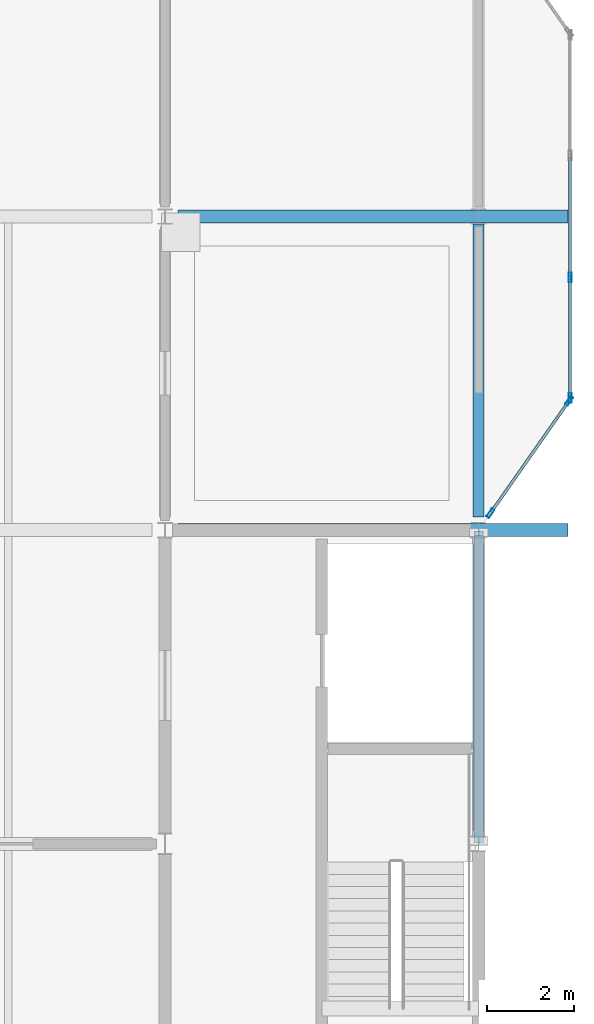
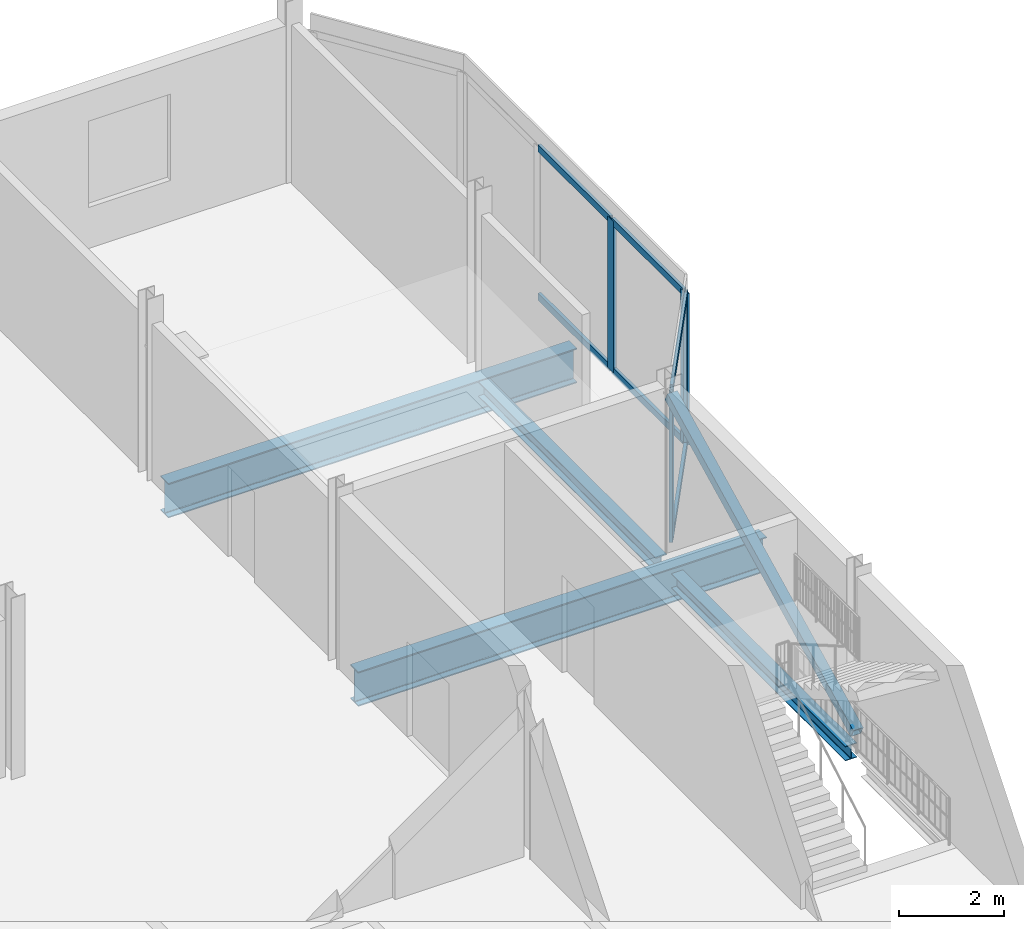
# One storey, part 14 of 26: 11 members, 4 beams, 2 elements without a shape of their own.
"""IFC4 building model written with IfcOpenShell, lengths in metres."""

from ifc_helpers import new_model, si_unit, direction, frame, origin, origin_2d, place, context, subcontext, project, spatial, hollow_rectangle, i_section, extrude, material, material_profile, profile_set, type_object, element, aggregate, save


model = new_model("IFC4")

# Units and contexts
model_context = context("Model", 3, precision=1e-05, world=origin(), true_north=direction((0.0, 1.0)))
body_context = subcontext(model_context, "Body", "Model", "MODEL_VIEW")
ifc_project = project(units=[si_unit("LENGTHUNIT", "METRE"), si_unit("AREAUNIT", "SQUARE_METRE"), si_unit("VOLUMEUNIT", "CUBIC_METRE"), si_unit("PLANEANGLEUNIT", "RADIAN"), si_unit("MASSUNIT", "GRAM", prefix="KILO")], contexts=[model_context])

# Site, building, storey
site_placement = place(None, origin())
site = spatial("IfcSite", under=ifc_project, at=site_placement, CompositionType="ELEMENT")
building_placement = place(site_placement, origin())
building = spatial("IfcBuilding", under=site, at=building_placement, Name="Vesperath Aquatics Centre", CompositionType="ELEMENT")
storey_placement = place(building_placement, frame((0.0, 0.0, 19.199951171875)))
storey = spatial("IfcBuildingStorey", under=building, at=storey_placement, Name="L04", CompositionType="ELEMENT", Elevation=19.199951171875)

# Beams
ifc_material_1 = material(Name="Steel Q355D", Category="steel")
ifc_material_profile_1 = material_profile(ifc_material_1, i_section(OverallWidth=0.300048828125, OverallDepth=0.800048828125, WebThickness=0.013916015625, FlangeThickness=0.02587890625, FilletRadius=0.028076171875, at=origin_2d()), Name="HN 800x300x14x26")
ifc_profile_set_1 = profile_set([ifc_material_profile_1], Name="Steel Q355D")
beam_type_1 = type_object("IfcBeamType", Name="BM-G07", PredefinedType="BEAM", material=ifc_profile_set_1)
for number, where, z_axis, x_axis, name in (
    (1, (165.89990234375, 21.60009765625, -0.639892578125), (1.0, 0.0, 0.0), (0.0, 1.0, 0.0), "Floor Girder B07 L04 D 24-25"),
    (2, (165.89990234375, 28.800048828125, -0.639892578125), (1.0, 0.0, 0.0), (0.0, 1.0, 0.0), "Floor Girder B07 L04 E 24-25"),
):
    element("IfcBeam", number, at=place(storey_placement, frame(where, z_axis=z_axis, x_axis=x_axis)), inside=storey, type_object=beam_type_1, Name=name, PredefinedType="BEAM", context=body_context, shape_type="SweptSolid", body=[
        extrude(i_section(OverallWidth=0.300048828125, OverallDepth=0.800048828125, WebThickness=0.013916015625, FlangeThickness=0.02587890625, FilletRadius=0.028076171875, at=origin_2d()), origin(), (0.0, 0.0, 1.0), 8.9501953125),
    ])
ifc_material_2 = material(Name="Steel Q355C", Category="steel")
ifc_material_profile_2 = material_profile(ifc_material_2, i_section(OverallWidth=0.25, OverallDepth=0.340087890625, WebThickness=0.009033203125, FlangeThickness=0.013916015625, FilletRadius=0.02001953125, at=origin_2d()), Name="HM 340x250x9x14")
ifc_profile_set_2 = profile_set([ifc_material_profile_2], Name="Steel Q355C")
beam_type_2 = type_object("IfcBeamType", Name="BM-G12", PredefinedType="BEAM", material=ifc_profile_set_2)
beam_1_placement = place(storey_placement, frame((172.800048828125, 14.699951171875, -0.409912109375), z_axis=(0.0, 1.0, 0.0), x_axis=(-1.0, 0.0, 0.0)))
element("IfcBeam", 3, at=beam_1_placement, inside=storey, type_object=beam_type_2, Name="Floor Girder B12 L04 25 C-D", PredefinedType="BEAM", context=body_context, shape_type="SweptSolid", body=[
    extrude(i_section(OverallWidth=0.25, OverallDepth=0.340087890625, WebThickness=0.009033203125, FlangeThickness=0.013916015625, FilletRadius=0.02001953125, at=origin_2d()), origin(), (0.0, 0.0, 1.0), 6.60009765625),
])
beam_2_placement = place(storey_placement, frame((172.800048828125, 21.89990234375, -0.409912109375), z_axis=(0.0, 1.0, 0.0), x_axis=(-1.0, 0.0, 0.0)))
element("IfcBeam", 4, at=beam_2_placement, inside=storey, type_object=beam_type_2, Name="Floor Girder B12 L04 25 D-E", PredefinedType="BEAM", context=body_context, shape_type="SweptSolid", body=[
    extrude(i_section(OverallWidth=0.25, OverallDepth=0.340087890625, WebThickness=0.009033203125, FlangeThickness=0.013916015625, FilletRadius=0.02001953125, at=origin_2d()), origin(), (0.0, 0.0, 1.0), 6.72509765625),
])

# Member
ifc_material_profile_3 = material_profile(ifc_material_1, hollow_rectangle(XDim=0.219970703125, YDim=0.219970703125, WallThickness=0.010009765625, at=origin_2d()), Name="SHS 220x220x10")
ifc_profile_set_3 = profile_set([ifc_material_profile_3], Name="Steel Q355D")
member_type_1 = type_object("IfcMemberType", Name="MB-BR02", PredefinedType="BRACE", material=ifc_profile_set_3)
member_1_placement = place(storey_placement, frame((172.800048828125, 14.471435546875, 0.185791015625), z_axis=(0.0, 0.894427191, 0.4472135955), x_axis=(-1.0, 0.0, 0.0)))
element("IfcMember", 5, at=member_1_placement, inside=storey, type_object=member_type_1, Name="Lateral Braced Frame Strut C6_E L04", PredefinedType="BRACE", context=body_context, shape_type="SweptSolid", body=[
    extrude(hollow_rectangle(XDim=0.219970703125, YDim=0.219970703125, WallThickness=0.010009765625, at=origin_2d()), origin(), (0.0, 0.0, 1.0), 7.89013671875),
])

# Curtain wall, members
ifc_material_3 = material(Name="Thermally broken anodised bronze aluminium curtain wall", Category="aluminium")
curtain_wall_type = type_object("IfcCurtainWallType", Name="CW-07", PredefinedType="NOTDEFINED", material=ifc_material_3)
curtain_wall_1_placement = place(storey_placement, origin())
curtain_wall_1 = element("IfcCurtainWall", 6, at=curtain_wall_1_placement, inside=storey, type_object=curtain_wall_type, Name="East Avenue Bow Oriel Curtain Wall L04-S", PredefinedType="NOTDEFINED")
ifc_material_4 = material(Name="Thermally broken anodised aluminium", Category="aluminium")
ifc_material_profile_4 = material_profile(ifc_material_4, hollow_rectangle(XDim=0.070068359375, YDim=0.219970703125, WallThickness=0.0048828125, at=origin_2d()), Name="CWM 70x220x5")
ifc_profile_set_4 = profile_set([ifc_material_profile_4], Name="Thermally broken anodised aluminium")
member_type_2 = type_object("IfcMemberType", Name="MB-CWM2", PredefinedType="MULLION", material=ifc_profile_set_4)
member_2_placement = place(storey_placement, frame((173.072021484375, 21.98876953125, 0.0), z_axis=(0.0, 0.0, 1.0), x_axis=(-0.819231920515, 0.57346234437, 0.0)))
member_2 = element("IfcMember", 7, at=member_2_placement, type_object=member_type_2, Name="CW07 mullion 1", PredefinedType="MULLION", context=body_context, shape_type="SweptSolid", body=[
    extrude(hollow_rectangle(XDim=0.070068359375, YDim=0.219970703125, WallThickness=0.0048828125, at=origin_2d()), origin(), (0.0, 0.0, 1.0), 3.510009765625),
])
member_3_placement = place(storey_placement, frame((174.8798828125, 24.5712890625, 0.0), z_axis=(0.0, 0.0, 1.0), x_axis=(-0.819231920515, 0.57346234437, 0.0)))
member_3 = element("IfcMember", 8, at=member_3_placement, type_object=member_type_2, Name="CW07 mullion 2", PredefinedType="MULLION", context=body_context, shape_type="SweptSolid", body=[
    extrude(hollow_rectangle(XDim=0.070068359375, YDim=0.219970703125, WallThickness=0.0048828125, at=origin_2d()), origin(), (0.0, 0.0, 1.0), 3.510009765625),
])

curtain_wall_2_placement = place(storey_placement, origin())
curtain_wall_2 = element("IfcCurtainWall", 9, at=curtain_wall_2_placement, inside=storey, type_object=curtain_wall_type, Name="East Avenue Bow Oriel Curtain Wall L04-C", PredefinedType="NOTDEFINED")
member_4_placement = place(storey_placement, frame((174.89990234375, 24.635009765625, 0.0), z_axis=(0.0, 0.0, 1.0), x_axis=(-1.0, 0.0, 0.0)))
member_4 = element("IfcMember", 10, at=member_4_placement, type_object=member_type_2, Name="CW07 mullion 1", PredefinedType="MULLION", context=body_context, shape_type="SweptSolid", body=[
    extrude(hollow_rectangle(XDim=0.070068359375, YDim=0.219970703125, WallThickness=0.0048828125, at=origin_2d()), origin(), (0.0, 0.0, 1.0), 3.510009765625),
])
member_5_placement = place(storey_placement, frame((174.89990234375, 27.39990234375, 0.0), z_axis=(0.0, 0.0, 1.0), x_axis=(-1.0, 0.0, 0.0)))
member_5 = element("IfcMember", 11, at=member_5_placement, type_object=member_type_2, Name="CW07 mullion 2", PredefinedType="MULLION", context=body_context, shape_type="SweptSolid", body=[
    extrude(hollow_rectangle(XDim=0.070068359375, YDim=0.219970703125, WallThickness=0.0048828125, at=origin_2d()), origin(), (0.0, 0.0, 1.0), 3.510009765625),
])

# Member
ifc_material_profile_5 = material_profile(ifc_material_4, hollow_rectangle(XDim=0.070068359375, YDim=0.159912109375, WallThickness=0.0048828125, at=origin_2d()), Name="CWT 70x160x5")
ifc_profile_set_5 = profile_set([ifc_material_profile_5], Name="Thermally broken anodised aluminium")
member_type_3 = type_object("IfcMemberType", Name="MB-CWT2", PredefinedType="USERDEFINED", material=ifc_profile_set_5)
member_6_placement = place(storey_placement, frame((173.092041015625, 22.017333984375, 0.03515625), z_axis=(0.573472974924, 0.819224479024, 0.0), x_axis=(-0.819224479024, 0.573472974924, 0.0)))
member_6 = element("IfcMember", 12, at=member_6_placement, type_object=member_type_3, Name="CW07 transom 1.1", ObjectType="TRANSOM", PredefinedType="USERDEFINED", context=body_context, shape_type="SweptSolid", body=[
    extrude(hollow_rectangle(XDim=0.070068359375, YDim=0.159912109375, WallThickness=0.0048828125, at=origin_2d()), origin(), (0.0, 0.0, 1.0), 3.082763671875),
])

member_7_placement = place(storey_placement, frame((173.092041015625, 22.017333984375, 3.47509765625), z_axis=(0.573472974924, 0.819224479024, 0.0), x_axis=(-0.819224479024, 0.573472974924, 0.0)))
member_7 = element("IfcMember", 13, at=member_7_placement, type_object=member_type_3, Name="CW07 transom 1.2", ObjectType="TRANSOM", PredefinedType="USERDEFINED", context=body_context, shape_type="SweptSolid", body=[
    extrude(hollow_rectangle(XDim=0.070068359375, YDim=0.159912109375, WallThickness=0.0048828125, at=origin_2d()), origin(), (0.0, 0.0, 1.0), 3.082763671875),
])

aggregate(curtain_wall_1, [member_2, member_3, member_6, member_7])

member_8_placement = place(storey_placement, frame((174.89990234375, 24.669921875, 0.03515625), z_axis=(0.0, 1.0, 0.0), x_axis=(-1.0, 0.0, 0.0)))
member_8 = element("IfcMember", 14, at=member_8_placement, type_object=member_type_3, Name="CW07 transom 1.1", ObjectType="TRANSOM", PredefinedType="USERDEFINED", context=body_context, shape_type="SweptSolid", body=[
    extrude(hollow_rectangle(XDim=0.070068359375, YDim=0.159912109375, WallThickness=0.0048828125, at=origin_2d()), origin(), (0.0, 0.0, 1.0), 2.695068359375),
])

member_9_placement = place(storey_placement, frame((174.89990234375, 24.669921875, 3.47509765625), z_axis=(0.0, 1.0, 0.0), x_axis=(-1.0, 0.0, 0.0)))
member_9 = element("IfcMember", 15, at=member_9_placement, type_object=member_type_3, Name="CW07 transom 1.2", ObjectType="TRANSOM", PredefinedType="USERDEFINED", context=body_context, shape_type="SweptSolid", body=[
    extrude(hollow_rectangle(XDim=0.070068359375, YDim=0.159912109375, WallThickness=0.0048828125, at=origin_2d()), origin(), (0.0, 0.0, 1.0), 2.695068359375),
])

member_10_placement = place(storey_placement, frame((174.89990234375, 27.43505859375, 0.03515625), z_axis=(0.0, 1.0, 0.0), x_axis=(-1.0, 0.0, 0.0)))
member_10 = element("IfcMember", 16, at=member_10_placement, type_object=member_type_3, Name="CW07 transom 2.1", ObjectType="TRANSOM", PredefinedType="USERDEFINED", context=body_context, shape_type="SweptSolid", body=[
    extrude(hollow_rectangle(XDim=0.070068359375, YDim=0.159912109375, WallThickness=0.0048828125, at=origin_2d()), origin(), (0.0, 0.0, 1.0), 2.72998046875),
])

member_11_placement = place(storey_placement, frame((174.89990234375, 27.43505859375, 3.47509765625), z_axis=(0.0, 1.0, 0.0), x_axis=(-1.0, 0.0, 0.0)))
member_11 = element("IfcMember", 17, at=member_11_placement, type_object=member_type_3, Name="CW07 transom 2.2", ObjectType="TRANSOM", PredefinedType="USERDEFINED", context=body_context, shape_type="SweptSolid", body=[
    extrude(hollow_rectangle(XDim=0.070068359375, YDim=0.159912109375, WallThickness=0.0048828125, at=origin_2d()), origin(), (0.0, 0.0, 1.0), 2.72998046875),
])

aggregate(curtain_wall_2, [member_4, member_5, member_8, member_9, member_10, member_11])

save(model, "model.ifc")
